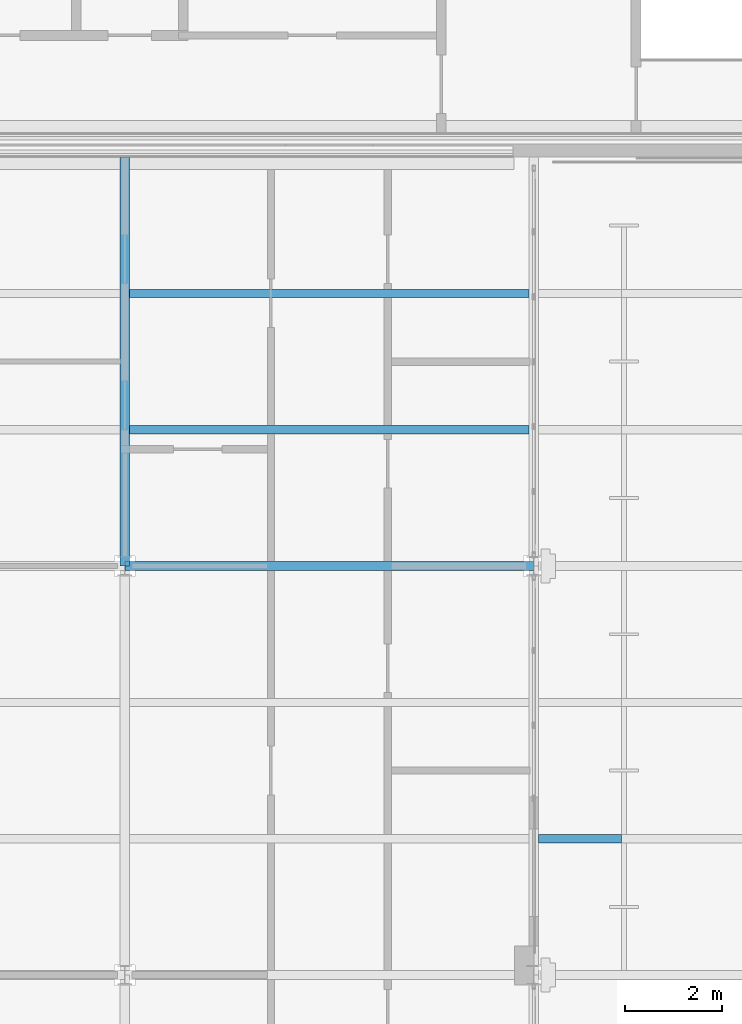
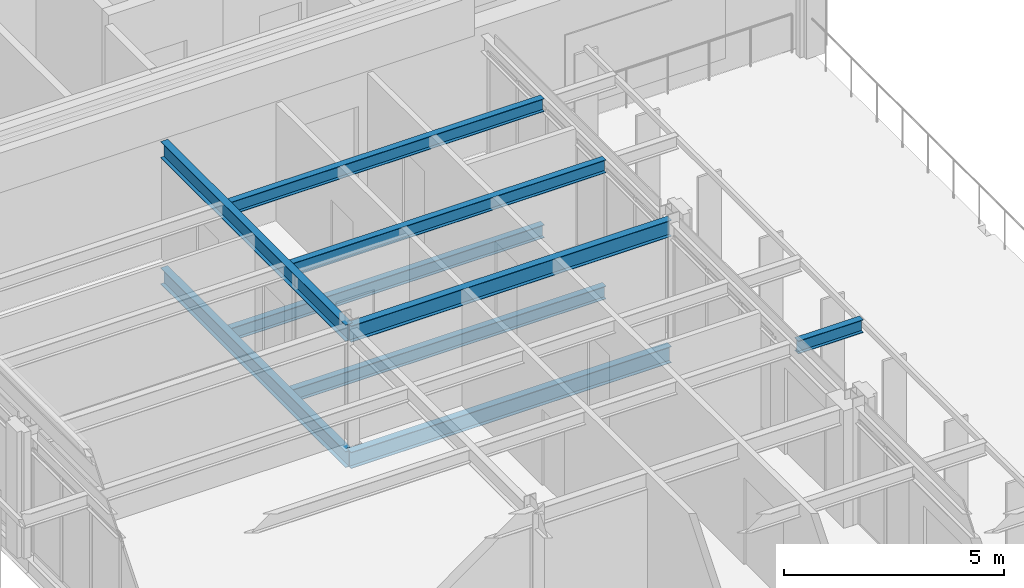
# One storey, part 16 of 31: 9 beams.
"""IFC4 building model written with IfcOpenShell, lengths in metres."""

import ifcopenshell
import ifcopenshell.guid

model = None  # the IFC model being written
_history = None  # IfcOwnerHistory: only IFC2X3 demands one
_inside = {}  # id of a spatial element -> (the spatial element, [elements in it])
_under = {}  # id of a project, library or spatial element -> (it, [spatial elements below it])
_declared = {}  # id of a project -> (the project, [libraries it declares])
_typed = {}  # id of a type object -> (the type object, [elements of that type])
_made_of = {}  # id of a material, layer set ... -> (it, [elements and type objects made of it])


def new_model(schema):
    """Start an empty IFC model of exactly this schema.

    Asked for "IFC4X3", IfcOpenShell would pick the latest addendum, in which some entities
    have other attributes; the version numbers below select the first issue.
    IFC2X3 requires an IfcOwnerHistory on every rooted entity: one is made here for all.
    """
    global model, _history
    if schema == "IFC4X3":
        model = ifcopenshell.file(schema_version=(4, 3, 0, 0))
    else:
        model = ifcopenshell.file(schema=schema)
    _inside.clear()
    _under.clear()
    _declared.clear()
    _typed.clear()
    _made_of.clear()
    _history = None
    if model.schema == "IFC2X3":
        org = make("IfcOrganization", Name="unknown")
        user = make(
            "IfcPersonAndOrganization",
            ThePerson=make("IfcPerson", FamilyName="unknown"),
            TheOrganization=org,
        )
        app = make(
            "IfcApplication",
            ApplicationDeveloper=org,
            Version="unknown",
            ApplicationFullName="unknown",
            ApplicationIdentifier="unknown",
        )
        _history = make(
            "IfcOwnerHistory",
            OwningUser=user,
            OwningApplication=app,
            ChangeAction="ADDED",
            CreationDate=0,
        )
    return model


def make(cls, **values):
    """One entity of the class cls with the attributes given. An attribute that is None is left unset."""
    return model.create_entity(
        cls, **{name: value for name, value in values.items() if value is not None}
    )


def rooted(cls, **values):
    """An entity with a GlobalId (a new one), such as an element, a storey or a relation."""
    return make(cls, GlobalId=ifcopenshell.guid.new(), OwnerHistory=_history, **values)


def si_unit(unit_type, name, prefix=None):
    """IfcSIUnit, for example si_unit("LENGTHUNIT", "METRE", prefix="MILLI")."""
    return make("IfcSIUnit", UnitType=unit_type, Prefix=prefix, Name=name)


def assignment(units):
    """IfcUnitAssignment: the units of a project."""
    return None if units is None else make("IfcUnitAssignment", Units=units)


def point(xyz):
    """IfcCartesianPoint."""
    return None if xyz is None else make("IfcCartesianPoint", Coordinates=xyz)


def direction(xyz):
    """IfcDirection."""
    return None if xyz is None else make("IfcDirection", DirectionRatios=xyz)


def frame(location, z_axis=None, x_axis=None):
    """IfcAxis2Placement3D, a coordinate frame: its origin and axes. An axis left out is left unset."""
    return make(
        "IfcAxis2Placement3D",
        Location=point(location),
        Axis=direction(z_axis),
        RefDirection=direction(x_axis),
    )


def frame_2d(location, x_axis=None):
    """IfcAxis2Placement2D, a coordinate frame in the plane: its origin and x axis."""
    return make(
        "IfcAxis2Placement2D", Location=point(location), RefDirection=direction(x_axis)
    )


def origin():
    """The frame at (0, 0, 0) with its axes left unset."""
    return frame((0.0, 0.0, 0.0))


def origin_2d():
    """The frame at (0, 0) in the plane with its x axis left unset."""
    return frame_2d((0.0, 0.0))


def place(relative_to, where):
    """IfcLocalPlacement: puts the frame where relative to a parent placement (None: the world)."""
    return make(
        "IfcLocalPlacement", PlacementRelTo=relative_to, RelativePlacement=where
    )


def context(
    kind, dimensions, precision=None, world=None, true_north=None, identifier=None
):
    """IfcGeometricRepresentationContext, for example the 3D "Model" context."""
    return make(
        "IfcGeometricRepresentationContext",
        ContextIdentifier=identifier,
        ContextType=kind,
        CoordinateSpaceDimension=dimensions,
        Precision=precision,
        WorldCoordinateSystem=world,
        TrueNorth=true_north,
    )


def subcontext(parent, identifier, kind, view, scale=None):
    """IfcGeometricRepresentationSubContext, for example "Body" below "Model"."""
    return make(
        "IfcGeometricRepresentationSubContext",
        ContextIdentifier=identifier,
        ContextType=kind,
        ParentContext=parent,
        TargetScale=scale,
        TargetView=view,
    )


def project(units=None, contexts=None):
    """IfcProject with its units and contexts."""
    return rooted(
        "IfcProject",
        Name="project",
        RepresentationContexts=contexts,
        UnitsInContext=assignment(units),
    )


def spatial(cls, under=None, at=None, **own):
    """A site, building, storey or space (cls), placed at a placement, below another one or the project."""
    s = rooted(cls, ObjectPlacement=at, **own)
    if under is not None:
        _under.setdefault(under.id(), (under, []))[1].append(s)
    return s


def profile(cls, at=None, kind="AREA", **sizes):
    """A parametric profile (cls). Its sizes go by their IFC names, for example OverallWidth=200.0."""
    return make(cls, ProfileType=kind, Position=at, **sizes)


def i_section(**sizes):
    """IfcIShapeProfileDef."""
    return profile("IfcIShapeProfileDef", **sizes)


def extrude(swept, where, along, depth):
    """IfcExtrudedAreaSolid: the profile swept, set in the frame where, extruded along a direction by depth."""
    return make(
        "IfcExtrudedAreaSolid",
        SweptArea=swept,
        Position=where,
        ExtrudedDirection=direction(along),
        Depth=depth,
    )


def shape(context_of_items, identifier, shape_type, items):
    """IfcShapeRepresentation: the items that make up one representation, for example the "Body"."""
    return make(
        "IfcShapeRepresentation",
        ContextOfItems=context_of_items,
        RepresentationIdentifier=identifier,
        RepresentationType=shape_type,
        Items=items,
    )


def material(Name=None, Category=None):
    """IfcMaterial."""
    return make("IfcMaterial", Name=Name, Category=Category)


def material_profile(
    of_material, cross_section, Name=None, Category=None, Priority=None
):
    """IfcMaterialProfile: a cross section and its material."""
    return make(
        "IfcMaterialProfile",
        Name=Name,
        Material=of_material,
        Profile=cross_section,
        Priority=Priority,
        Category=Category,
    )


def profile_set(profiles, Name=None, composite=None):
    """IfcMaterialProfileSet."""
    return make(
        "IfcMaterialProfileSet",
        Name=Name,
        MaterialProfiles=profiles,
        CompositeProfile=composite,
    )


def made_of(thing, what):
    """Note that an element or type object is made of a material, layer set ...; save() writes the relation."""
    if what is not None:
        _made_of.setdefault(what.id(), (what, []))[1].append(thing)
    return thing


def type_object(cls, material=None, **own):
    """A type object (cls), such as IfcWallType, which elements share."""
    return made_of(rooted(cls, **own), material)


def element(
    cls,
    number,
    at=None,
    inside=None,
    cuts=None,
    type_object=None,
    material=None,
    context=None,
    identifier="Body",
    shape_type=None,
    held_by="IfcProductDefinitionShape",
    body=None,
    shapes=None,
    **own,
):
    """One element of the class cls, such as IfcWall. Its Tag is "e" and its number.

    at: its placement. inside: the storey or other place that contains it. cuts: it is an
    opening in that element (IfcRelVoidsElement). A single representation is given by context,
    identifier, shape_type and body (its items); several are given by shapes. held_by: the class
    of the entity that holds the representations. save() writes the other relations.
    """
    e = rooted(cls, Tag="e%d" % number, ObjectPlacement=at, **own)
    if body is not None:
        shapes = [shape(context, identifier, shape_type, body)]
    if shapes is not None:
        e.Representation = make(held_by, Representations=shapes)
    if inside is not None:
        _inside.setdefault(inside.id(), (inside, []))[1].append(e)
    if cuts is not None:
        rooted(
            "IfcRelVoidsElement", RelatingBuildingElement=cuts, RelatedOpeningElement=e
        )
    if type_object is not None:
        _typed.setdefault(type_object.id(), (type_object, []))[1].append(e)
    return made_of(e, material)


def aggregate(whole, parts):
    """IfcRelAggregates: a whole, such as a stair, and the parts it consists of."""
    return rooted("IfcRelAggregates", RelatingObject=whole, RelatedObjects=parts)


def save(model, path):
    """Write the relations noted so far, then the file.

    IfcRelAggregates (storeys below a building ...), IfcRelContainedInSpatialStructure (elements
    in a storey), IfcRelDefinesByType, IfcRelAssociatesMaterial and IfcRelDeclares: one each for
    every whole, place, type object, material and project.
    """
    for whole, parts in _under.values():
        aggregate(whole, parts)
    for where, things in _inside.values():
        rooted(
            "IfcRelContainedInSpatialStructure",
            RelatedElements=things,
            RelatingStructure=where,
        )
    for kind, things in _typed.values():
        rooted("IfcRelDefinesByType", RelatedObjects=things, RelatingType=kind)
    for what, things in _made_of.values():
        rooted("IfcRelAssociatesMaterial", RelatedObjects=things, RelatingMaterial=what)
    for by, libraries in _declared.values():
        rooted("IfcRelDeclares", RelatingContext=by, RelatedDefinitions=libraries)
    model.write(path)


model = new_model("IFC4")

# Units and contexts
model_context = context("Model", 3, precision=1e-05, world=origin(), true_north=direction((0.0, 1.0)))
body_context = subcontext(model_context, "Body", "Model", "MODEL_VIEW")
ifc_project = project(units=[si_unit("LENGTHUNIT", "METRE"), si_unit("AREAUNIT", "SQUARE_METRE"), si_unit("VOLUMEUNIT", "CUBIC_METRE"), si_unit("PLANEANGLEUNIT", "RADIAN"), si_unit("MASSUNIT", "GRAM", prefix="KILO")], contexts=[model_context])

# Site, building, storey
site_placement = place(None, origin())
site = spatial("IfcSite", under=ifc_project, at=site_placement, CompositionType="ELEMENT")
building_placement = place(site_placement, origin())
building = spatial("IfcBuilding", under=site, at=building_placement, Name="Catenary Quay Ferry Terminal", CompositionType="ELEMENT")
storey_placement = place(building_placement, frame((0.0, 0.0, 20.60009765625)))
storey = spatial("IfcBuildingStorey", under=building, at=storey_placement, Name="L04", CompositionType="ELEMENT", Elevation=20.60009765625)

# Beams
ifc_material_1 = material(Name="Steel S355", Category="steel")
ifc_material_profile_1 = material_profile(ifc_material_1, i_section(OverallWidth=0.18994140625, OverallDepth=0.453369140625, WebThickness=0.008544921875, FlangeThickness=0.0126953125, at=origin_2d()), Name="UB 457x191x67")
ifc_profile_set_1 = profile_set([ifc_material_profile_1], Name="Steel S355")
beam_type_1 = type_object("IfcBeamType", Name="B1 UB 457x191x67", PredefinedType="BEAM", material=ifc_profile_set_1)
beam_1_placement = place(storey_placement, frame((33.60009765625, 193.199951171875, -0.47705078125), z_axis=(1.0, 0.0, 0.0), x_axis=(0.0, 1.0, 0.0)))
element("IfcBeam", 1, at=beam_1_placement, inside=storey, type_object=beam_type_1, Name="Beam B1-008", PredefinedType="BEAM", context=body_context, shape_type="SweptSolid", body=[
    extrude(i_section(OverallWidth=0.18994140625, OverallDepth=0.453369140625, WebThickness=0.008544921875, FlangeThickness=0.0126953125, at=origin_2d()), origin(), (0.0, 0.0, 1.0), 8.39990234375),
])
beam_2_placement = place(storey_placement, frame((33.60009765625, 193.199951171875, -0.47705078125), z_axis=(0.0, 1.0, 0.0), x_axis=(-1.0, 0.0, 0.0)))
element("IfcBeam", 2, at=beam_2_placement, inside=storey, type_object=beam_type_1, Name="Beam B1-025", PredefinedType="BEAM", context=body_context, shape_type="SweptSolid", body=[
    extrude(i_section(OverallWidth=0.18994140625, OverallDepth=0.453369140625, WebThickness=0.008544921875, FlangeThickness=0.0126953125, at=origin_2d()), origin(), (0.0, 0.0, 1.0), 8.400146484375),
])
beam_3_placement = place(storey_placement, frame((33.60009765625, 193.199951171875, 3.02294921875), z_axis=(1.0, 0.0, 0.0), x_axis=(0.0, 1.0, 0.0)))
element("IfcBeam", 3, at=beam_3_placement, inside=storey, type_object=beam_type_1, Name="Beam B1-006", PredefinedType="BEAM", context=body_context, shape_type="SweptSolid", body=[
    extrude(i_section(OverallWidth=0.18994140625, OverallDepth=0.453369140625, WebThickness=0.008544921875, FlangeThickness=0.0126953125, at=origin_2d()), origin(), (0.0, 0.0, 1.0), 8.39990234375),
])
beam_4_placement = place(storey_placement, frame((33.60009765625, 193.199951171875, 3.02294921875), z_axis=(0.0, 1.0, 0.0), x_axis=(-1.0, 0.0, 0.0)))
element("IfcBeam", 4, at=beam_4_placement, inside=storey, type_object=beam_type_1, Name="Beam B1-018", PredefinedType="BEAM", context=body_context, shape_type="SweptSolid", body=[
    extrude(i_section(OverallWidth=0.18994140625, OverallDepth=0.453369140625, WebThickness=0.008544921875, FlangeThickness=0.0126953125, at=origin_2d()), origin(), (0.0, 0.0, 1.0), 8.400146484375),
])
ifc_material_2 = material(Name="Steel S355", Category="steel")
ifc_material_profile_2 = material_profile(ifc_material_2, i_section(OverallWidth=0.169921875, OverallDepth=0.360107421875, WebThickness=0.008056640625, FlangeThickness=0.0126953125, at=origin_2d()), Name="IPE 360")
ifc_profile_set_2 = profile_set([ifc_material_profile_2], Name="Steel S355")
beam_type_2 = type_object("IfcBeamType", Name="B7 IPE 360", PredefinedType="BEAM", material=ifc_profile_set_2)
for number, where, z_axis, x_axis, name in (
    (5, (33.695068359375, 196.0, -0.43017578125), (1.0, 0.0, 0.0), (0.0, 1.0, 0.0), "Beam B7-020"),
    (6, (33.695068359375, 198.800048828125, -0.43017578125), (1.0, 0.0, 0.0), (0.0, 1.0, 0.0), "Beam B7-023"),
    (7, (33.695068359375, 196.0, 3.06982421875), (1.0, 0.0, 0.0), (0.0, 1.0, 0.0), "Beam B7-014"),
    (8, (33.695068359375, 198.800048828125, 3.06982421875), (1.0, 0.0, 0.0), (0.0, 1.0, 0.0), "Beam B7-016"),
):
    element("IfcBeam", number, at=place(storey_placement, frame(where, z_axis=z_axis, x_axis=x_axis)), inside=storey, type_object=beam_type_2, Name=name, PredefinedType="BEAM", context=body_context, shape_type="SweptSolid", body=[
        extrude(i_section(OverallWidth=0.169921875, OverallDepth=0.360107421875, WebThickness=0.008056640625, FlangeThickness=0.0126953125, at=origin_2d()), origin(), (0.0, 0.0, 1.0), 8.2099609375),
    ])
ifc_material_3 = material(Name="Steel S355", Category="steel")
ifc_material_profile_3 = material_profile(ifc_material_3, i_section(OverallWidth=0.169921875, OverallDepth=0.360107421875, WebThickness=0.008056640625, FlangeThickness=0.0126953125, at=origin_2d()), Name="IPE 360")
ifc_profile_set_3 = profile_set([ifc_material_profile_3], Name="Steel S355")
beam_type_3 = type_object("IfcBeamType", Name="B9 IPE 360", PredefinedType="BEAM", material=ifc_profile_set_3)
beam_5_placement = place(storey_placement, frame((42.095458984375, 187.60009765625, 3.06982421875), z_axis=(1.0, 0.0, 0.0), x_axis=(0.0, 1.0, 0.0)))
element("IfcBeam", 9, at=beam_5_placement, inside=storey, type_object=beam_type_3, Name="Eaves cantilever E5", PredefinedType="BEAM", context=body_context, shape_type="SweptSolid", body=[
    extrude(i_section(OverallWidth=0.169921875, OverallDepth=0.360107421875, WebThickness=0.008056640625, FlangeThickness=0.0126953125, at=origin_2d()), origin(), (0.0, 0.0, 1.0), 1.70458984375),
])

save(model, "model.ifc")
